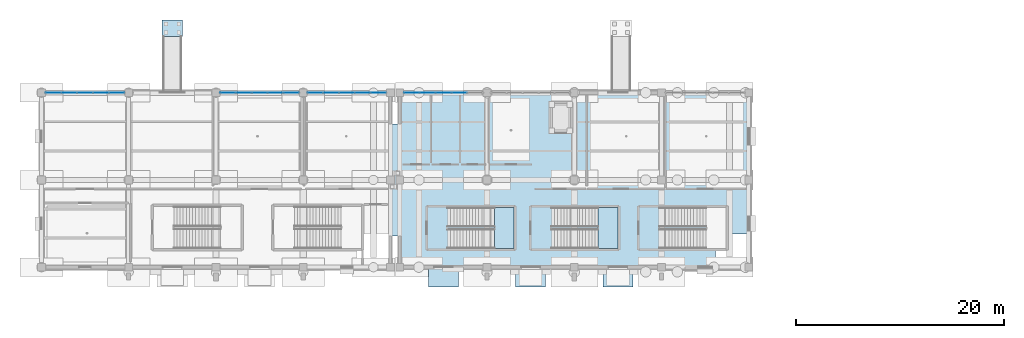
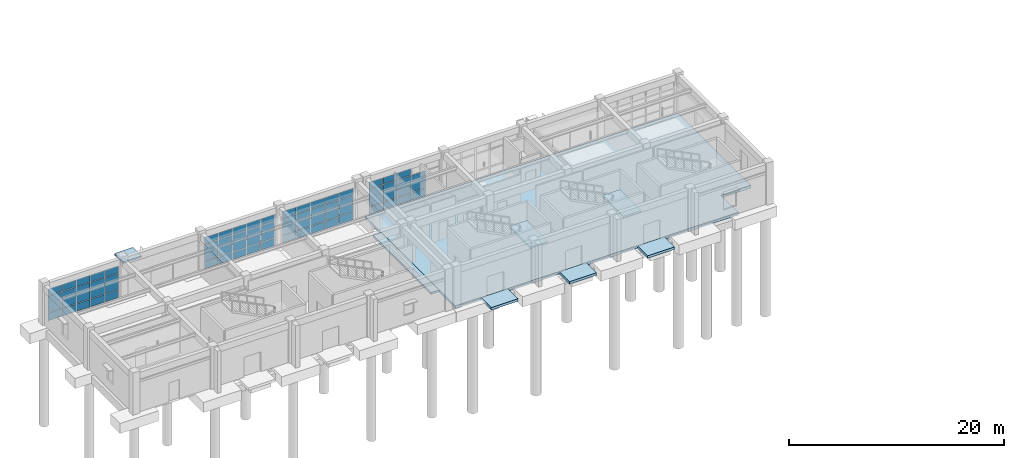
# One storey, part 15 of 29: 56 plates, 8 slabs, 6 elements without a shape of their own.
"""IFC4 building model written with IfcOpenShell, lengths in metres."""

import ifcopenshell
import ifcopenshell.guid

model = None  # the IFC model being written
_history = None  # IfcOwnerHistory: only IFC2X3 demands one
_inside = {}  # id of a spatial element -> (the spatial element, [elements in it])
_under = {}  # id of a project, library or spatial element -> (it, [spatial elements below it])
_declared = {}  # id of a project -> (the project, [libraries it declares])
_typed = {}  # id of a type object -> (the type object, [elements of that type])
_made_of = {}  # id of a material, layer set ... -> (it, [elements and type objects made of it])


def new_model(schema):
    """Start an empty IFC model of exactly this schema.

    Asked for "IFC4X3", IfcOpenShell would pick the latest addendum, in which some entities
    have other attributes; the version numbers below select the first issue.
    IFC2X3 requires an IfcOwnerHistory on every rooted entity: one is made here for all.
    """
    global model, _history
    if schema == "IFC4X3":
        model = ifcopenshell.file(schema_version=(4, 3, 0, 0))
    else:
        model = ifcopenshell.file(schema=schema)
    _inside.clear()
    _under.clear()
    _declared.clear()
    _typed.clear()
    _made_of.clear()
    _history = None
    if model.schema == "IFC2X3":
        org = make("IfcOrganization", Name="unknown")
        user = make(
            "IfcPersonAndOrganization",
            ThePerson=make("IfcPerson", FamilyName="unknown"),
            TheOrganization=org,
        )
        app = make(
            "IfcApplication",
            ApplicationDeveloper=org,
            Version="unknown",
            ApplicationFullName="unknown",
            ApplicationIdentifier="unknown",
        )
        _history = make(
            "IfcOwnerHistory",
            OwningUser=user,
            OwningApplication=app,
            ChangeAction="ADDED",
            CreationDate=0,
        )
    return model


def make(cls, **values):
    """One entity of the class cls with the attributes given. An attribute that is None is left unset."""
    return model.create_entity(
        cls, **{name: value for name, value in values.items() if value is not None}
    )


def rooted(cls, **values):
    """An entity with a GlobalId (a new one), such as an element, a storey or a relation."""
    return make(cls, GlobalId=ifcopenshell.guid.new(), OwnerHistory=_history, **values)


def si_unit(unit_type, name, prefix=None):
    """IfcSIUnit, for example si_unit("LENGTHUNIT", "METRE", prefix="MILLI")."""
    return make("IfcSIUnit", UnitType=unit_type, Prefix=prefix, Name=name)


def assignment(units):
    """IfcUnitAssignment: the units of a project."""
    return None if units is None else make("IfcUnitAssignment", Units=units)


def point(xyz):
    """IfcCartesianPoint."""
    return None if xyz is None else make("IfcCartesianPoint", Coordinates=xyz)


def direction(xyz):
    """IfcDirection."""
    return None if xyz is None else make("IfcDirection", DirectionRatios=xyz)


def frame(location, z_axis=None, x_axis=None):
    """IfcAxis2Placement3D, a coordinate frame: its origin and axes. An axis left out is left unset."""
    return make(
        "IfcAxis2Placement3D",
        Location=point(location),
        Axis=direction(z_axis),
        RefDirection=direction(x_axis),
    )


def frame_2d(location, x_axis=None):
    """IfcAxis2Placement2D, a coordinate frame in the plane: its origin and x axis."""
    return make(
        "IfcAxis2Placement2D", Location=point(location), RefDirection=direction(x_axis)
    )


def origin():
    """The frame at (0, 0, 0) with its axes left unset."""
    return frame((0.0, 0.0, 0.0))


def origin_2d():
    """The frame at (0, 0) in the plane with its x axis left unset."""
    return frame_2d((0.0, 0.0))


def place(relative_to, where):
    """IfcLocalPlacement: puts the frame where relative to a parent placement (None: the world)."""
    return make(
        "IfcLocalPlacement", PlacementRelTo=relative_to, RelativePlacement=where
    )


def context(
    kind, dimensions, precision=None, world=None, true_north=None, identifier=None
):
    """IfcGeometricRepresentationContext, for example the 3D "Model" context."""
    return make(
        "IfcGeometricRepresentationContext",
        ContextIdentifier=identifier,
        ContextType=kind,
        CoordinateSpaceDimension=dimensions,
        Precision=precision,
        WorldCoordinateSystem=world,
        TrueNorth=true_north,
    )


def subcontext(parent, identifier, kind, view, scale=None):
    """IfcGeometricRepresentationSubContext, for example "Body" below "Model"."""
    return make(
        "IfcGeometricRepresentationSubContext",
        ContextIdentifier=identifier,
        ContextType=kind,
        ParentContext=parent,
        TargetScale=scale,
        TargetView=view,
    )


def project(units=None, contexts=None):
    """IfcProject with its units and contexts."""
    return rooted(
        "IfcProject",
        Name="project",
        RepresentationContexts=contexts,
        UnitsInContext=assignment(units),
    )


def spatial(cls, under=None, at=None, **own):
    """A site, building, storey or space (cls), placed at a placement, below another one or the project."""
    s = rooted(cls, ObjectPlacement=at, **own)
    if under is not None:
        _under.setdefault(under.id(), (under, []))[1].append(s)
    return s


def polyline(points):
    """IfcPolyline through the points."""
    return make("IfcPolyline", Points=[point(p) for p in points])


def profile(cls, at=None, kind="AREA", **sizes):
    """A parametric profile (cls). Its sizes go by their IFC names, for example OverallWidth=200.0."""
    return make(cls, ProfileType=kind, Position=at, **sizes)


def rectangle(**sizes):
    """IfcRectangleProfileDef."""
    return profile("IfcRectangleProfileDef", **sizes)


def outline(outer, holes=None, kind="AREA"):
    """IfcArbitraryClosedProfileDef: a profile drawn as a closed curve; with holes, ...WithVoids."""
    if holes is None:
        return make("IfcArbitraryClosedProfileDef", ProfileType=kind, OuterCurve=outer)
    return make(
        "IfcArbitraryProfileDefWithVoids",
        ProfileType=kind,
        OuterCurve=outer,
        InnerCurves=holes,
    )


def extrude(swept, where, along, depth):
    """IfcExtrudedAreaSolid: the profile swept, set in the frame where, extruded along a direction by depth."""
    return make(
        "IfcExtrudedAreaSolid",
        SweptArea=swept,
        Position=where,
        ExtrudedDirection=direction(along),
        Depth=depth,
    )


def shape(context_of_items, identifier, shape_type, items):
    """IfcShapeRepresentation: the items that make up one representation, for example the "Body"."""
    return make(
        "IfcShapeRepresentation",
        ContextOfItems=context_of_items,
        RepresentationIdentifier=identifier,
        RepresentationType=shape_type,
        Items=items,
    )


def material(Name=None, Category=None):
    """IfcMaterial."""
    return make("IfcMaterial", Name=Name, Category=Category)


def layer(
    of_material, thickness, ventilated=None, Name=None, Category=None, Priority=None
):
    """IfcMaterialLayer: one layer of a wall or slab, of a material (None: an air gap)."""
    return make(
        "IfcMaterialLayer",
        Material=of_material,
        LayerThickness=thickness,
        IsVentilated=ventilated,
        Name=Name,
        Category=Category,
        Priority=Priority,
    )


def layer_set(layers, Name=None):
    """IfcMaterialLayerSet."""
    return make("IfcMaterialLayerSet", MaterialLayers=layers, LayerSetName=Name)


def made_of(thing, what):
    """Note that an element or type object is made of a material, layer set ...; save() writes the relation."""
    if what is not None:
        _made_of.setdefault(what.id(), (what, []))[1].append(thing)
    return thing


def type_object(cls, material=None, **own):
    """A type object (cls), such as IfcWallType, which elements share."""
    return made_of(rooted(cls, **own), material)


def element(
    cls,
    number,
    at=None,
    inside=None,
    cuts=None,
    type_object=None,
    material=None,
    context=None,
    identifier="Body",
    shape_type=None,
    held_by="IfcProductDefinitionShape",
    body=None,
    shapes=None,
    **own,
):
    """One element of the class cls, such as IfcWall. Its Tag is "e" and its number.

    at: its placement. inside: the storey or other place that contains it. cuts: it is an
    opening in that element (IfcRelVoidsElement). A single representation is given by context,
    identifier, shape_type and body (its items); several are given by shapes. held_by: the class
    of the entity that holds the representations. save() writes the other relations.
    """
    e = rooted(cls, Tag="e%d" % number, ObjectPlacement=at, **own)
    if body is not None:
        shapes = [shape(context, identifier, shape_type, body)]
    if shapes is not None:
        e.Representation = make(held_by, Representations=shapes)
    if inside is not None:
        _inside.setdefault(inside.id(), (inside, []))[1].append(e)
    if cuts is not None:
        rooted(
            "IfcRelVoidsElement", RelatingBuildingElement=cuts, RelatedOpeningElement=e
        )
    if type_object is not None:
        _typed.setdefault(type_object.id(), (type_object, []))[1].append(e)
    return made_of(e, material)


def aggregate(whole, parts):
    """IfcRelAggregates: a whole, such as a stair, and the parts it consists of."""
    return rooted("IfcRelAggregates", RelatingObject=whole, RelatedObjects=parts)


def save(model, path):
    """Write the relations noted so far, then the file.

    IfcRelAggregates (storeys below a building ...), IfcRelContainedInSpatialStructure (elements
    in a storey), IfcRelDefinesByType, IfcRelAssociatesMaterial and IfcRelDeclares: one each for
    every whole, place, type object, material and project.
    """
    for whole, parts in _under.values():
        aggregate(whole, parts)
    for where, things in _inside.values():
        rooted(
            "IfcRelContainedInSpatialStructure",
            RelatedElements=things,
            RelatingStructure=where,
        )
    for kind, things in _typed.values():
        rooted("IfcRelDefinesByType", RelatedObjects=things, RelatingType=kind)
    for what, things in _made_of.values():
        rooted("IfcRelAssociatesMaterial", RelatedObjects=things, RelatingMaterial=what)
    for by, libraries in _declared.values():
        rooted("IfcRelDeclares", RelatingContext=by, RelatedDefinitions=libraries)
    model.write(path)


model = new_model("IFC4")

# Units and contexts
model_context = context("Model", 3, precision=1e-05, world=origin(), true_north=direction((0.0, 1.0)))
body_context = subcontext(model_context, "Body", "Model", "MODEL_VIEW")
ifc_project = project(units=[si_unit("LENGTHUNIT", "METRE"), si_unit("AREAUNIT", "SQUARE_METRE"), si_unit("VOLUMEUNIT", "CUBIC_METRE"), si_unit("PLANEANGLEUNIT", "RADIAN"), si_unit("MASSUNIT", "GRAM", prefix="KILO")], contexts=[model_context])

# Site, building, storey
site_placement = place(None, origin())
site = spatial("IfcSite", under=ifc_project, at=site_placement, CompositionType="ELEMENT")
building_placement = place(site_placement, origin())
building = spatial("IfcBuilding", under=site, at=building_placement, Name="Canglan Escarpment Cableway Terminal", CompositionType="ELEMENT")
storey_placement = place(building_placement, origin())
storey = spatial("IfcBuildingStorey", under=building, at=storey_placement, Name="L00", CompositionType="ELEMENT", Elevation=0.0)

# Curtain wall, plates
ifc_material_1 = material(Name="Anodized bronze aluminium and Low-E double glazing", Category="aluminium")
curtain_wall_type_1 = type_object("IfcCurtainWallType", Name="CW-BAY-7650x3725", PredefinedType="NOTDEFINED", material=ifc_material_1)
curtain_wall_1_placement = place(storey_placement, origin())
curtain_wall_1 = element("IfcCurtainWall", 1, at=curtain_wall_1_placement, inside=storey, type_object=curtain_wall_type_1, Name="Classical bay-between-piers glazed curtain wall CW-01", PredefinedType="NOTDEFINED")
ifc_material_2 = material(Name="Double-silver Low-E laminated insulating glass", Category="glass")
ifc_layer_1 = layer(ifc_material_2, 0.02392578125, Name="Double-silver Low-E laminated insulating glass")
ifc_layer_set_1 = layer_set([ifc_layer_1], Name="Double-silver Low-E laminated insulating glass")
plate_type_1 = type_object("IfcPlateType", Name="CWP-01", PredefinedType="CURTAIN_PANEL", material=ifc_layer_set_1)
plate_1_placement = place(storey_placement, frame((15.2451171875, 24.800048828125, 0.05517578125), z_axis=(0.0, 0.0, 1.0), x_axis=(-1.0, 0.0, 0.0)))
plate_1 = element("IfcPlate", 2, at=plate_1_placement, type_object=plate_type_1, Name="CW-01 panel 1.1", PredefinedType="CURTAIN_PANEL", context=body_context, shape_type="SweptSolid", body=[
    extrude(rectangle(XDim=1.43994140625, YDim=0.02392578125, at=origin_2d()), origin(), (0.0, 0.0, 1.0), 0.867431640625),
])
plate_2_placement = place(storey_placement, frame((15.2451171875, 24.800048828125, 0.9775390625), z_axis=(0.0, 0.0, 1.0), x_axis=(-1.0, 0.0, 0.0)))
plate_2 = element("IfcPlate", 3, at=plate_2_placement, type_object=plate_type_1, Name="CW-01 panel 1.2", PredefinedType="CURTAIN_PANEL", context=body_context, shape_type="SweptSolid", body=[
    extrude(rectangle(XDim=1.43994140625, YDim=0.02392578125, at=origin_2d()), origin(), (0.0, 0.0, 1.0), 1.860107421875),
])
plate_3_placement = place(storey_placement, frame((15.2451171875, 24.800048828125, 2.892578125), z_axis=(0.0, 0.0, 1.0), x_axis=(-1.0, 0.0, 0.0)))
plate_3 = element("IfcPlate", 4, at=plate_3_placement, type_object=plate_type_1, Name="CW-01 panel 1.3", PredefinedType="CURTAIN_PANEL", context=body_context, shape_type="SweptSolid", body=[
    extrude(rectangle(XDim=1.43994140625, YDim=0.02392578125, at=origin_2d()), origin(), (0.0, 0.0, 1.0), 0.767578125),
])
plate_4_placement = place(storey_placement, frame((13.72998046875, 24.800048828125, 0.05517578125), z_axis=(0.0, 0.0, 1.0), x_axis=(-1.0, 0.0, 0.0)))
plate_4 = element("IfcPlate", 5, at=plate_4_placement, type_object=plate_type_1, Name="CW-01 panel 2.1", PredefinedType="CURTAIN_PANEL", context=body_context, shape_type="SweptSolid", body=[
    extrude(rectangle(XDim=1.469970703125, YDim=0.02392578125, at=origin_2d()), origin(), (0.0, 0.0, 1.0), 0.867431640625),
])
plate_5_placement = place(storey_placement, frame((13.72998046875, 24.800048828125, 0.9775390625), z_axis=(0.0, 0.0, 1.0), x_axis=(-1.0, 0.0, 0.0)))
plate_5 = element("IfcPlate", 6, at=plate_5_placement, type_object=plate_type_1, Name="CW-01 panel 2.2", PredefinedType="CURTAIN_PANEL", context=body_context, shape_type="SweptSolid", body=[
    extrude(rectangle(XDim=1.469970703125, YDim=0.02392578125, at=origin_2d()), origin(), (0.0, 0.0, 1.0), 1.860107421875),
])
plate_6_placement = place(storey_placement, frame((13.72998046875, 24.800048828125, 2.892578125), z_axis=(0.0, 0.0, 1.0), x_axis=(-1.0, 0.0, 0.0)))
plate_6 = element("IfcPlate", 7, at=plate_6_placement, type_object=plate_type_1, Name="CW-01 panel 2.3", PredefinedType="CURTAIN_PANEL", context=body_context, shape_type="SweptSolid", body=[
    extrude(rectangle(XDim=1.469970703125, YDim=0.02392578125, at=origin_2d()), origin(), (0.0, 0.0, 1.0), 0.767578125),
])
plate_7_placement = place(storey_placement, frame((12.199951171875, 24.800048828125, 0.05517578125), z_axis=(0.0, 0.0, 1.0), x_axis=(-1.0, 0.0, 0.0)))
plate_7 = element("IfcPlate", 8, at=plate_7_placement, type_object=plate_type_1, Name="CW-01 panel 3.1", PredefinedType="CURTAIN_PANEL", context=body_context, shape_type="SweptSolid", body=[
    extrude(rectangle(XDim=1.469970703125, YDim=0.02392578125, at=origin_2d()), origin(), (0.0, 0.0, 1.0), 0.867431640625),
])
plate_8_placement = place(storey_placement, frame((12.199951171875, 24.800048828125, 0.9775390625), z_axis=(0.0, 0.0, 1.0), x_axis=(-1.0, 0.0, 0.0)))
plate_8 = element("IfcPlate", 9, at=plate_8_placement, type_object=plate_type_1, Name="CW-01 panel 3.2", PredefinedType="CURTAIN_PANEL", context=body_context, shape_type="SweptSolid", body=[
    extrude(rectangle(XDim=1.469970703125, YDim=0.02392578125, at=origin_2d()), origin(), (0.0, 0.0, 1.0), 1.860107421875),
])
plate_9_placement = place(storey_placement, frame((12.199951171875, 24.800048828125, 2.892578125), z_axis=(0.0, 0.0, 1.0), x_axis=(-1.0, 0.0, 0.0)))
plate_9 = element("IfcPlate", 10, at=plate_9_placement, type_object=plate_type_1, Name="CW-01 panel 3.3", PredefinedType="CURTAIN_PANEL", context=body_context, shape_type="SweptSolid", body=[
    extrude(rectangle(XDim=1.469970703125, YDim=0.02392578125, at=origin_2d()), origin(), (0.0, 0.0, 1.0), 0.767578125),
])
plate_10_placement = place(storey_placement, frame((10.669921875, 24.800048828125, 0.05517578125), z_axis=(0.0, 0.0, 1.0), x_axis=(-1.0, 0.0, 0.0)))
plate_10 = element("IfcPlate", 11, at=plate_10_placement, type_object=plate_type_1, Name="CW-01 panel 4.1", PredefinedType="CURTAIN_PANEL", context=body_context, shape_type="SweptSolid", body=[
    extrude(rectangle(XDim=1.469970703125, YDim=0.02392578125, at=origin_2d()), origin(), (0.0, 0.0, 1.0), 0.867431640625),
])
plate_11_placement = place(storey_placement, frame((10.669921875, 24.800048828125, 0.9775390625), z_axis=(0.0, 0.0, 1.0), x_axis=(-1.0, 0.0, 0.0)))
plate_11 = element("IfcPlate", 12, at=plate_11_placement, type_object=plate_type_1, Name="CW-01 panel 4.2", PredefinedType="CURTAIN_PANEL", context=body_context, shape_type="SweptSolid", body=[
    extrude(rectangle(XDim=1.469970703125, YDim=0.02392578125, at=origin_2d()), origin(), (0.0, 0.0, 1.0), 1.860107421875),
])
plate_12_placement = place(storey_placement, frame((10.669921875, 24.800048828125, 2.892578125), z_axis=(0.0, 0.0, 1.0), x_axis=(-1.0, 0.0, 0.0)))
plate_12 = element("IfcPlate", 13, at=plate_12_placement, type_object=plate_type_1, Name="CW-01 panel 4.3", PredefinedType="CURTAIN_PANEL", context=body_context, shape_type="SweptSolid", body=[
    extrude(rectangle(XDim=1.469970703125, YDim=0.02392578125, at=origin_2d()), origin(), (0.0, 0.0, 1.0), 0.767578125),
])
plate_13_placement = place(storey_placement, frame((9.155029296875, 24.800048828125, 0.05517578125), z_axis=(0.0, 0.0, 1.0), x_axis=(-1.0, 0.0, 0.0)))
plate_13 = element("IfcPlate", 14, at=plate_13_placement, type_object=plate_type_1, Name="CW-01 panel 5.1", PredefinedType="CURTAIN_PANEL", context=body_context, shape_type="SweptSolid", body=[
    extrude(rectangle(XDim=1.43994140625, YDim=0.02392578125, at=origin_2d()), origin(), (0.0, 0.0, 1.0), 0.867431640625),
])
plate_14_placement = place(storey_placement, frame((9.155029296875, 24.800048828125, 0.9775390625), z_axis=(0.0, 0.0, 1.0), x_axis=(-1.0, 0.0, 0.0)))
plate_14 = element("IfcPlate", 15, at=plate_14_placement, type_object=plate_type_1, Name="CW-01 panel 5.2", PredefinedType="CURTAIN_PANEL", context=body_context, shape_type="SweptSolid", body=[
    extrude(rectangle(XDim=1.43994140625, YDim=0.02392578125, at=origin_2d()), origin(), (0.0, 0.0, 1.0), 1.860107421875),
])
plate_15_placement = place(storey_placement, frame((9.155029296875, 24.800048828125, 2.892578125), z_axis=(0.0, 0.0, 1.0), x_axis=(-1.0, 0.0, 0.0)))
plate_15 = element("IfcPlate", 16, at=plate_15_placement, type_object=plate_type_1, Name="CW-01 panel 5.3", PredefinedType="CURTAIN_PANEL", context=body_context, shape_type="SweptSolid", body=[
    extrude(rectangle(XDim=1.43994140625, YDim=0.02392578125, at=origin_2d()), origin(), (0.0, 0.0, 1.0), 0.767578125),
])
aggregate(curtain_wall_1, [plate_1, plate_2, plate_3, plate_4, plate_5, plate_6, plate_7, plate_8, plate_9, plate_10, plate_11, plate_12, plate_13, plate_14, plate_15])

curtain_wall_type_2 = type_object("IfcCurtainWallType", Name="CW-BAY-7650x3775", PredefinedType="NOTDEFINED", material=ifc_material_1)
curtain_wall_2_placement = place(storey_placement, origin())
curtain_wall_2 = element("IfcCurtainWall", 17, at=curtain_wall_2_placement, inside=storey, type_object=curtain_wall_type_2, Name="Classical bay-between-piers glazed curtain wall CW-03", PredefinedType="NOTDEFINED")
ifc_layer_2 = layer(ifc_material_2, 0.028076171875, Name="Double-silver Low-E laminated insulating glass")
ifc_layer_set_2 = layer_set([ifc_layer_2], Name="Double-silver Low-E laminated insulating glass")
plate_type_2 = type_object("IfcPlateType", Name="CWP-02", PredefinedType="CURTAIN_PANEL", material=ifc_layer_set_2)
plate_16_placement = place(storey_placement, frame((48.22998046875, 24.800048828125, 0.06005859375), z_axis=(0.0, 0.0, 1.0), x_axis=(-1.0, 0.0, 0.0)))
plate_16 = element("IfcPlate", 18, at=plate_16_placement, type_object=plate_type_2, Name="CW-03 panel 2.1", PredefinedType="CURTAIN_PANEL", context=body_context, shape_type="SweptSolid", body=[
    extrude(rectangle(XDim=1.465087890625, YDim=0.028076171875, at=origin_2d()), origin(), (0.0, 0.0, 1.0), 0.860107421875),
])
plate_17_placement = place(storey_placement, frame((48.22998046875, 24.800048828125, 0.97998046875), z_axis=(0.0, 0.0, 1.0), x_axis=(-1.0, 0.0, 0.0)))
plate_17 = element("IfcPlate", 19, at=plate_17_placement, type_object=plate_type_2, Name="CW-03 panel 2.2", PredefinedType="CURTAIN_PANEL", context=body_context, shape_type="SweptSolid", body=[
    extrude(rectangle(XDim=1.465087890625, YDim=0.028076171875, at=origin_2d()), origin(), (0.0, 0.0, 1.0), 1.925048828125),
])
plate_18_placement = place(storey_placement, frame((46.699951171875, 24.800048828125, 0.06005859375), z_axis=(0.0, 0.0, 1.0), x_axis=(-1.0, 0.0, 0.0)))
plate_18 = element("IfcPlate", 20, at=plate_18_placement, type_object=plate_type_2, Name="CW-03 panel 3.1", PredefinedType="CURTAIN_PANEL", context=body_context, shape_type="SweptSolid", body=[
    extrude(rectangle(XDim=1.465087890625, YDim=0.028076171875, at=origin_2d()), origin(), (0.0, 0.0, 1.0), 0.860107421875),
])
plate_19_placement = place(storey_placement, frame((46.699951171875, 24.800048828125, 0.97998046875), z_axis=(0.0, 0.0, 1.0), x_axis=(-1.0, 0.0, 0.0)))
plate_19 = element("IfcPlate", 21, at=plate_19_placement, type_object=plate_type_2, Name="CW-03 panel 3.2", PredefinedType="CURTAIN_PANEL", context=body_context, shape_type="SweptSolid", body=[
    extrude(rectangle(XDim=1.465087890625, YDim=0.028076171875, at=origin_2d()), origin(), (0.0, 0.0, 1.0), 1.925048828125),
])
plate_20_placement = place(storey_placement, frame((46.699951171875, 24.800048828125, 2.96484375), z_axis=(0.0, 0.0, 1.0), x_axis=(-1.0, 0.0, 0.0)))
plate_20 = element("IfcPlate", 22, at=plate_20_placement, type_object=plate_type_2, Name="CW-03 panel 3.3", PredefinedType="CURTAIN_PANEL", context=body_context, shape_type="SweptSolid", body=[
    extrude(rectangle(XDim=1.465087890625, YDim=0.028076171875, at=origin_2d()), origin(), (0.0, 0.0, 1.0), 0.760009765625),
])
plate_21_placement = place(storey_placement, frame((45.169921875, 24.800048828125, 0.06005859375), z_axis=(0.0, 0.0, 1.0), x_axis=(-1.0, 0.0, 0.0)))
plate_21 = element("IfcPlate", 23, at=plate_21_placement, type_object=plate_type_2, Name="CW-03 panel 4.1", PredefinedType="CURTAIN_PANEL", context=body_context, shape_type="SweptSolid", body=[
    extrude(rectangle(XDim=1.465087890625, YDim=0.028076171875, at=origin_2d()), origin(), (0.0, 0.0, 1.0), 0.860107421875),
])
plate_22_placement = place(storey_placement, frame((45.169921875, 24.800048828125, 0.97998046875), z_axis=(0.0, 0.0, 1.0), x_axis=(-1.0, 0.0, 0.0)))
plate_22 = element("IfcPlate", 24, at=plate_22_placement, type_object=plate_type_2, Name="CW-03 panel 4.2", PredefinedType="CURTAIN_PANEL", context=body_context, shape_type="SweptSolid", body=[
    extrude(rectangle(XDim=1.465087890625, YDim=0.028076171875, at=origin_2d()), origin(), (0.0, 0.0, 1.0), 1.925048828125),
])
plate_23_placement = place(storey_placement, frame((45.169921875, 24.800048828125, 2.96484375), z_axis=(0.0, 0.0, 1.0), x_axis=(-1.0, 0.0, 0.0)))
plate_23 = element("IfcPlate", 25, at=plate_23_placement, type_object=plate_type_2, Name="CW-03 panel 4.3", PredefinedType="CURTAIN_PANEL", context=body_context, shape_type="SweptSolid", body=[
    extrude(rectangle(XDim=1.465087890625, YDim=0.028076171875, at=origin_2d()), origin(), (0.0, 0.0, 1.0), 0.760009765625),
])
plate_24_placement = place(storey_placement, frame((43.65625, 24.800048828125, 0.06005859375), z_axis=(0.0, 0.0, 1.0), x_axis=(-1.0, 0.0, 0.0)))
plate_24 = element("IfcPlate", 26, at=plate_24_placement, type_object=plate_type_2, Name="CW-03 panel 5.1", PredefinedType="CURTAIN_PANEL", context=body_context, shape_type="SweptSolid", body=[
    extrude(rectangle(XDim=1.4326171875, YDim=0.028076171875, at=origin_2d()), origin(), (0.0, 0.0, 1.0), 0.860107421875),
])
plate_25_placement = place(storey_placement, frame((43.65625, 24.800048828125, 0.97998046875), z_axis=(0.0, 0.0, 1.0), x_axis=(-1.0, 0.0, 0.0)))
plate_25 = element("IfcPlate", 27, at=plate_25_placement, type_object=plate_type_2, Name="CW-03 panel 5.2", PredefinedType="CURTAIN_PANEL", context=body_context, shape_type="SweptSolid", body=[
    extrude(rectangle(XDim=1.4326171875, YDim=0.028076171875, at=origin_2d()), origin(), (0.0, 0.0, 1.0), 1.925048828125),
])
plate_26_placement = place(storey_placement, frame((43.65625, 24.800048828125, 2.96484375), z_axis=(0.0, 0.0, 1.0), x_axis=(-1.0, 0.0, 0.0)))
plate_26 = element("IfcPlate", 28, at=plate_26_placement, type_object=plate_type_2, Name="CW-03 panel 5.3", PredefinedType="CURTAIN_PANEL", context=body_context, shape_type="SweptSolid", body=[
    extrude(rectangle(XDim=1.4326171875, YDim=0.028076171875, at=origin_2d()), origin(), (0.0, 0.0, 1.0), 0.760009765625),
])
aggregate(curtain_wall_2, [plate_16, plate_17, plate_18, plate_19, plate_20, plate_21, plate_22, plate_23, plate_24, plate_25, plate_26])

curtain_wall_3_placement = place(storey_placement, origin())
curtain_wall_3 = element("IfcCurtainWall", 29, at=curtain_wall_3_placement, inside=storey, type_object=curtain_wall_type_1, Name="Classical bay-between-piers glazed curtain wall CW-01", PredefinedType="NOTDEFINED")
ifc_layer_3 = layer(ifc_material_2, 0.031982421875, Name="Double-silver Low-E laminated insulating glass")
ifc_layer_set_3 = layer_set([ifc_layer_3], Name="Double-silver Low-E laminated insulating glass")
plate_type_3 = type_object("IfcPlateType", Name="CWP-03", PredefinedType="CURTAIN_PANEL", material=ifc_layer_set_3)
plate_27_placement = place(storey_placement, frame((32.043701171875, 24.800048828125, 0.06494140625), z_axis=(0.0, 0.0, 1.0), x_axis=(-1.0, 0.0, 0.0)))
plate_27 = element("IfcPlate", 30, at=plate_27_placement, type_object=plate_type_3, Name="CW-01 panel 1.1", PredefinedType="CURTAIN_PANEL", context=body_context, shape_type="SweptSolid", body=[
    extrude(rectangle(XDim=1.4326171875, YDim=0.031982421875, at=origin_2d()), origin(), (0.0, 0.0, 1.0), 0.8525390625),
])
plate_28_placement = place(storey_placement, frame((32.043701171875, 24.800048828125, 0.982421875), z_axis=(0.0, 0.0, 1.0), x_axis=(-1.0, 0.0, 0.0)))
plate_28 = element("IfcPlate", 31, at=plate_28_placement, type_object=plate_type_3, Name="CW-01 panel 1.2", PredefinedType="CURTAIN_PANEL", context=body_context, shape_type="SweptSolid", body=[
    extrude(rectangle(XDim=1.4326171875, YDim=0.031982421875, at=origin_2d()), origin(), (0.0, 0.0, 1.0), 1.85009765625),
])
plate_29_placement = place(storey_placement, frame((32.043701171875, 24.800048828125, 2.8974609375), z_axis=(0.0, 0.0, 1.0), x_axis=(-1.0, 0.0, 0.0)))
plate_29 = element("IfcPlate", 32, at=plate_29_placement, type_object=plate_type_3, Name="CW-01 panel 1.3", PredefinedType="CURTAIN_PANEL", context=body_context, shape_type="SweptSolid", body=[
    extrude(rectangle(XDim=1.4326171875, YDim=0.031982421875, at=origin_2d()), origin(), (0.0, 0.0, 1.0), 0.75244140625),
])
plate_30_placement = place(storey_placement, frame((30.530029296875, 24.800048828125, 0.06494140625), z_axis=(0.0, 0.0, 1.0), x_axis=(-1.0, 0.0, 0.0)))
plate_30 = element("IfcPlate", 33, at=plate_30_placement, type_object=plate_type_3, Name="CW-01 panel 2.1", PredefinedType="CURTAIN_PANEL", context=body_context, shape_type="SweptSolid", body=[
    extrude(rectangle(XDim=1.465087890625, YDim=0.031982421875, at=origin_2d()), origin(), (0.0, 0.0, 1.0), 0.8525390625),
])
plate_31_placement = place(storey_placement, frame((30.530029296875, 24.800048828125, 0.982421875), z_axis=(0.0, 0.0, 1.0), x_axis=(-1.0, 0.0, 0.0)))
plate_31 = element("IfcPlate", 34, at=plate_31_placement, type_object=plate_type_3, Name="CW-01 panel 2.2", PredefinedType="CURTAIN_PANEL", context=body_context, shape_type="SweptSolid", body=[
    extrude(rectangle(XDim=1.465087890625, YDim=0.031982421875, at=origin_2d()), origin(), (0.0, 0.0, 1.0), 1.85009765625),
])
plate_32_placement = place(storey_placement, frame((30.530029296875, 24.800048828125, 2.8974609375), z_axis=(0.0, 0.0, 1.0), x_axis=(-1.0, 0.0, 0.0)))
plate_32 = element("IfcPlate", 35, at=plate_32_placement, type_object=plate_type_3, Name="CW-01 panel 2.3", PredefinedType="CURTAIN_PANEL", context=body_context, shape_type="SweptSolid", body=[
    extrude(rectangle(XDim=1.465087890625, YDim=0.031982421875, at=origin_2d()), origin(), (0.0, 0.0, 1.0), 0.75244140625),
])
plate_33_placement = place(storey_placement, frame((29.0, 24.800048828125, 0.06494140625), z_axis=(0.0, 0.0, 1.0), x_axis=(-1.0, 0.0, 0.0)))
plate_33 = element("IfcPlate", 36, at=plate_33_placement, type_object=plate_type_3, Name="CW-01 panel 3.1", PredefinedType="CURTAIN_PANEL", context=body_context, shape_type="SweptSolid", body=[
    extrude(rectangle(XDim=1.465087890625, YDim=0.031982421875, at=origin_2d()), origin(), (0.0, 0.0, 1.0), 0.8525390625),
])
plate_34_placement = place(storey_placement, frame((29.0, 24.800048828125, 0.982421875), z_axis=(0.0, 0.0, 1.0), x_axis=(-1.0, 0.0, 0.0)))
plate_34 = element("IfcPlate", 37, at=plate_34_placement, type_object=plate_type_3, Name="CW-01 panel 3.2", PredefinedType="CURTAIN_PANEL", context=body_context, shape_type="SweptSolid", body=[
    extrude(rectangle(XDim=1.465087890625, YDim=0.031982421875, at=origin_2d()), origin(), (0.0, 0.0, 1.0), 1.85009765625),
])
plate_35_placement = place(storey_placement, frame((29.0, 24.800048828125, 2.8974609375), z_axis=(0.0, 0.0, 1.0), x_axis=(-1.0, 0.0, 0.0)))
plate_35 = element("IfcPlate", 38, at=plate_35_placement, type_object=plate_type_3, Name="CW-01 panel 3.3", PredefinedType="CURTAIN_PANEL", context=body_context, shape_type="SweptSolid", body=[
    extrude(rectangle(XDim=1.465087890625, YDim=0.031982421875, at=origin_2d()), origin(), (0.0, 0.0, 1.0), 0.75244140625),
])
plate_36_placement = place(storey_placement, frame((27.469970703125, 24.800048828125, 0.06494140625), z_axis=(0.0, 0.0, 1.0), x_axis=(-1.0, 0.0, 0.0)))
plate_36 = element("IfcPlate", 39, at=plate_36_placement, type_object=plate_type_3, Name="CW-01 panel 4.1", PredefinedType="CURTAIN_PANEL", context=body_context, shape_type="SweptSolid", body=[
    extrude(rectangle(XDim=1.465087890625, YDim=0.031982421875, at=origin_2d()), origin(), (0.0, 0.0, 1.0), 0.8525390625),
])
plate_37_placement = place(storey_placement, frame((27.469970703125, 24.800048828125, 0.982421875), z_axis=(0.0, 0.0, 1.0), x_axis=(-1.0, 0.0, 0.0)))
plate_37 = element("IfcPlate", 40, at=plate_37_placement, type_object=plate_type_3, Name="CW-01 panel 4.2", PredefinedType="CURTAIN_PANEL", context=body_context, shape_type="SweptSolid", body=[
    extrude(rectangle(XDim=1.465087890625, YDim=0.031982421875, at=origin_2d()), origin(), (0.0, 0.0, 1.0), 1.85009765625),
])
plate_38_placement = place(storey_placement, frame((27.469970703125, 24.800048828125, 2.8974609375), z_axis=(0.0, 0.0, 1.0), x_axis=(-1.0, 0.0, 0.0)))
plate_38 = element("IfcPlate", 41, at=plate_38_placement, type_object=plate_type_3, Name="CW-01 panel 4.3", PredefinedType="CURTAIN_PANEL", context=body_context, shape_type="SweptSolid", body=[
    extrude(rectangle(XDim=1.465087890625, YDim=0.031982421875, at=origin_2d()), origin(), (0.0, 0.0, 1.0), 0.75244140625),
])
plate_39_placement = place(storey_placement, frame((25.956298828125, 24.800048828125, 0.06494140625), z_axis=(0.0, 0.0, 1.0), x_axis=(-1.0, 0.0, 0.0)))
plate_39 = element("IfcPlate", 42, at=plate_39_placement, type_object=plate_type_3, Name="CW-01 panel 5.1", PredefinedType="CURTAIN_PANEL", context=body_context, shape_type="SweptSolid", body=[
    extrude(rectangle(XDim=1.4326171875, YDim=0.031982421875, at=origin_2d()), origin(), (0.0, 0.0, 1.0), 0.8525390625),
])
plate_40_placement = place(storey_placement, frame((25.956298828125, 24.800048828125, 0.982421875), z_axis=(0.0, 0.0, 1.0), x_axis=(-1.0, 0.0, 0.0)))
plate_40 = element("IfcPlate", 43, at=plate_40_placement, type_object=plate_type_3, Name="CW-01 panel 5.2", PredefinedType="CURTAIN_PANEL", context=body_context, shape_type="SweptSolid", body=[
    extrude(rectangle(XDim=1.4326171875, YDim=0.031982421875, at=origin_2d()), origin(), (0.0, 0.0, 1.0), 1.85009765625),
])
plate_41_placement = place(storey_placement, frame((25.956298828125, 24.800048828125, 2.8974609375), z_axis=(0.0, 0.0, 1.0), x_axis=(-1.0, 0.0, 0.0)))
plate_41 = element("IfcPlate", 44, at=plate_41_placement, type_object=plate_type_3, Name="CW-01 panel 5.3", PredefinedType="CURTAIN_PANEL", context=body_context, shape_type="SweptSolid", body=[
    extrude(rectangle(XDim=1.4326171875, YDim=0.031982421875, at=origin_2d()), origin(), (0.0, 0.0, 1.0), 0.75244140625),
])
aggregate(curtain_wall_3, [plate_27, plate_28, plate_29, plate_30, plate_31, plate_32, plate_33, plate_34, plate_35, plate_36, plate_37, plate_38, plate_39, plate_40, plate_41])

curtain_wall_4_placement = place(storey_placement, origin())
curtain_wall_4 = element("IfcCurtainWall", 45, at=curtain_wall_4_placement, inside=storey, type_object=curtain_wall_type_1, Name="Classical bay-between-piers glazed curtain wall CW-01", PredefinedType="NOTDEFINED")
ifc_layer_4 = layer(ifc_material_2, 0.035888671875, Name="Double-silver Low-E laminated insulating glass")
ifc_layer_set_4 = layer_set([ifc_layer_4], Name="Double-silver Low-E laminated insulating glass")
plate_type_4 = type_object("IfcPlateType", Name="CWP-04", PredefinedType="CURTAIN_PANEL", material=ifc_layer_set_4)
plate_42_placement = place(storey_placement, frame((40.445068359375, 24.800048828125, 0.05517578125), z_axis=(0.0, 0.0, 1.0), x_axis=(-1.0, 0.0, 0.0)))
plate_42 = element("IfcPlate", 46, at=plate_42_placement, type_object=plate_type_4, Name="CW-01 panel 1.1", PredefinedType="CURTAIN_PANEL", context=body_context, shape_type="SweptSolid", body=[
    extrude(rectangle(XDim=1.43994140625, YDim=0.035888671875, at=origin_2d()), origin(), (0.0, 0.0, 1.0), 0.867431640625),
])
plate_43_placement = place(storey_placement, frame((40.445068359375, 24.800048828125, 0.9775390625), z_axis=(0.0, 0.0, 1.0), x_axis=(-1.0, 0.0, 0.0)))
plate_43 = element("IfcPlate", 47, at=plate_43_placement, type_object=plate_type_4, Name="CW-01 panel 1.2", PredefinedType="CURTAIN_PANEL", context=body_context, shape_type="SweptSolid", body=[
    extrude(rectangle(XDim=1.43994140625, YDim=0.035888671875, at=origin_2d()), origin(), (0.0, 0.0, 1.0), 1.860107421875),
])
plate_44_placement = place(storey_placement, frame((40.445068359375, 24.800048828125, 2.892578125), z_axis=(0.0, 0.0, 1.0), x_axis=(-1.0, 0.0, 0.0)))
plate_44 = element("IfcPlate", 48, at=plate_44_placement, type_object=plate_type_4, Name="CW-01 panel 1.3", PredefinedType="CURTAIN_PANEL", context=body_context, shape_type="SweptSolid", body=[
    extrude(rectangle(XDim=1.43994140625, YDim=0.035888671875, at=origin_2d()), origin(), (0.0, 0.0, 1.0), 0.767578125),
])
plate_45_placement = place(storey_placement, frame((38.929931640625, 24.800048828125, 0.05517578125), z_axis=(0.0, 0.0, 1.0), x_axis=(-1.0, 0.0, 0.0)))
plate_45 = element("IfcPlate", 49, at=plate_45_placement, type_object=plate_type_4, Name="CW-01 panel 2.1", PredefinedType="CURTAIN_PANEL", context=body_context, shape_type="SweptSolid", body=[
    extrude(rectangle(XDim=1.469970703125, YDim=0.035888671875, at=origin_2d()), origin(), (0.0, 0.0, 1.0), 0.867431640625),
])
plate_46_placement = place(storey_placement, frame((38.929931640625, 24.800048828125, 0.9775390625), z_axis=(0.0, 0.0, 1.0), x_axis=(-1.0, 0.0, 0.0)))
plate_46 = element("IfcPlate", 50, at=plate_46_placement, type_object=plate_type_4, Name="CW-01 panel 2.2", PredefinedType="CURTAIN_PANEL", context=body_context, shape_type="SweptSolid", body=[
    extrude(rectangle(XDim=1.469970703125, YDim=0.035888671875, at=origin_2d()), origin(), (0.0, 0.0, 1.0), 1.860107421875),
])
plate_47_placement = place(storey_placement, frame((38.929931640625, 24.800048828125, 2.892578125), z_axis=(0.0, 0.0, 1.0), x_axis=(-1.0, 0.0, 0.0)))
plate_47 = element("IfcPlate", 51, at=plate_47_placement, type_object=plate_type_4, Name="CW-01 panel 2.3", PredefinedType="CURTAIN_PANEL", context=body_context, shape_type="SweptSolid", body=[
    extrude(rectangle(XDim=1.469970703125, YDim=0.035888671875, at=origin_2d()), origin(), (0.0, 0.0, 1.0), 0.767578125),
])
plate_48_placement = place(storey_placement, frame((37.39990234375, 24.800048828125, 0.05517578125), z_axis=(0.0, 0.0, 1.0), x_axis=(-1.0, 0.0, 0.0)))
plate_48 = element("IfcPlate", 52, at=plate_48_placement, type_object=plate_type_4, Name="CW-01 panel 3.1", PredefinedType="CURTAIN_PANEL", context=body_context, shape_type="SweptSolid", body=[
    extrude(rectangle(XDim=1.469970703125, YDim=0.035888671875, at=origin_2d()), origin(), (0.0, 0.0, 1.0), 0.867431640625),
])
plate_49_placement = place(storey_placement, frame((37.39990234375, 24.800048828125, 0.9775390625), z_axis=(0.0, 0.0, 1.0), x_axis=(-1.0, 0.0, 0.0)))
plate_49 = element("IfcPlate", 53, at=plate_49_placement, type_object=plate_type_4, Name="CW-01 panel 3.2", PredefinedType="CURTAIN_PANEL", context=body_context, shape_type="SweptSolid", body=[
    extrude(rectangle(XDim=1.469970703125, YDim=0.035888671875, at=origin_2d()), origin(), (0.0, 0.0, 1.0), 1.860107421875),
])
plate_50_placement = place(storey_placement, frame((37.39990234375, 24.800048828125, 2.892578125), z_axis=(0.0, 0.0, 1.0), x_axis=(-1.0, 0.0, 0.0)))
plate_50 = element("IfcPlate", 54, at=plate_50_placement, type_object=plate_type_4, Name="CW-01 panel 3.3", PredefinedType="CURTAIN_PANEL", context=body_context, shape_type="SweptSolid", body=[
    extrude(rectangle(XDim=1.469970703125, YDim=0.035888671875, at=origin_2d()), origin(), (0.0, 0.0, 1.0), 0.767578125),
])
plate_51_placement = place(storey_placement, frame((35.8701171875, 24.800048828125, 0.05517578125), z_axis=(0.0, 0.0, 1.0), x_axis=(-1.0, 0.0, 0.0)))
plate_51 = element("IfcPlate", 55, at=plate_51_placement, type_object=plate_type_4, Name="CW-01 panel 4.1", PredefinedType="CURTAIN_PANEL", context=body_context, shape_type="SweptSolid", body=[
    extrude(rectangle(XDim=1.469970703125, YDim=0.035888671875, at=origin_2d()), origin(), (0.0, 0.0, 1.0), 0.867431640625),
])
plate_52_placement = place(storey_placement, frame((35.8701171875, 24.800048828125, 0.9775390625), z_axis=(0.0, 0.0, 1.0), x_axis=(-1.0, 0.0, 0.0)))
plate_52 = element("IfcPlate", 56, at=plate_52_placement, type_object=plate_type_4, Name="CW-01 panel 4.2", PredefinedType="CURTAIN_PANEL", context=body_context, shape_type="SweptSolid", body=[
    extrude(rectangle(XDim=1.469970703125, YDim=0.035888671875, at=origin_2d()), origin(), (0.0, 0.0, 1.0), 1.860107421875),
])
plate_53_placement = place(storey_placement, frame((35.8701171875, 24.800048828125, 2.892578125), z_axis=(0.0, 0.0, 1.0), x_axis=(-1.0, 0.0, 0.0)))
plate_53 = element("IfcPlate", 57, at=plate_53_placement, type_object=plate_type_4, Name="CW-01 panel 4.3", PredefinedType="CURTAIN_PANEL", context=body_context, shape_type="SweptSolid", body=[
    extrude(rectangle(XDim=1.469970703125, YDim=0.035888671875, at=origin_2d()), origin(), (0.0, 0.0, 1.0), 0.767578125),
])
plate_54_placement = place(storey_placement, frame((34.35498046875, 24.800048828125, 0.05517578125), z_axis=(0.0, 0.0, 1.0), x_axis=(-1.0, 0.0, 0.0)))
plate_54 = element("IfcPlate", 58, at=plate_54_placement, type_object=plate_type_4, Name="CW-01 panel 5.1", PredefinedType="CURTAIN_PANEL", context=body_context, shape_type="SweptSolid", body=[
    extrude(rectangle(XDim=1.43994140625, YDim=0.035888671875, at=origin_2d()), origin(), (0.0, 0.0, 1.0), 0.867431640625),
])
plate_55_placement = place(storey_placement, frame((34.35498046875, 24.800048828125, 0.9775390625), z_axis=(0.0, 0.0, 1.0), x_axis=(-1.0, 0.0, 0.0)))
plate_55 = element("IfcPlate", 59, at=plate_55_placement, type_object=plate_type_4, Name="CW-01 panel 5.2", PredefinedType="CURTAIN_PANEL", context=body_context, shape_type="SweptSolid", body=[
    extrude(rectangle(XDim=1.43994140625, YDim=0.035888671875, at=origin_2d()), origin(), (0.0, 0.0, 1.0), 1.860107421875),
])
plate_56_placement = place(storey_placement, frame((34.35498046875, 24.800048828125, 2.892578125), z_axis=(0.0, 0.0, 1.0), x_axis=(-1.0, 0.0, 0.0)))
plate_56 = element("IfcPlate", 60, at=plate_56_placement, type_object=plate_type_4, Name="CW-01 panel 5.3", PredefinedType="CURTAIN_PANEL", context=body_context, shape_type="SweptSolid", body=[
    extrude(rectangle(XDim=1.43994140625, YDim=0.035888671875, at=origin_2d()), origin(), (0.0, 0.0, 1.0), 0.767578125),
])
aggregate(curtain_wall_4, [plate_42, plate_43, plate_44, plate_45, plate_46, plate_47, plate_48, plate_49, plate_50, plate_51, plate_52, plate_53, plate_54, plate_55, plate_56])

# Slabs
ifc_material_3 = material(Name="Concrete C40", Category="concrete")
ifc_layer_5 = layer(ifc_material_3, 0.280029296875, Name="Concrete C40")
ifc_layer_set_5 = layer_set([ifc_layer_5], Name="Concrete C40")
slab_type_1 = type_object("IfcSlabType", Name="SLB-BASE-280", PredefinedType="BASESLAB", material=ifc_layer_set_5)
slab_1_placement = place(storey_placement, frame((0.0, 0.0, -0.280029296875)))
element("IfcSlab", 61, at=slab_1_placement, inside=storey, type_object=slab_type_1, Name="Stair discharge exterior exit threshold apron SB-03", PredefinedType="BASESLAB", context=body_context, shape_type="SweptSolid", body=[
    extrude(outline(polyline([(45.25, 6.10009765625), (48.14990234375, 6.10009765625), (48.14990234375, 8.0), (45.25, 8.0), (45.25, 6.10009765625)])), origin(), (0.0, 0.0, 1.0), 0.280029296875),
])
slab_2_placement = place(storey_placement, frame((0.0, 0.0, -0.280029296875)))
element("IfcSlab", 62, at=slab_2_placement, inside=storey, type_object=slab_type_1, Name="Stair discharge exterior exit threshold apron SB-03", PredefinedType="BASESLAB", context=body_context, shape_type="SweptSolid", body=[
    extrude(outline(polyline([(53.64990234375, 6.10009765625), (56.550048828125, 6.10009765625), (56.550048828125, 8.0), (53.64990234375, 8.0), (53.64990234375, 6.10009765625)])), origin(), (0.0, 0.0, 1.0), 0.280029296875),
])
slab_3_placement = place(storey_placement, frame((0.0, 0.0, -0.280029296875)))
element("IfcSlab", 63, at=slab_3_placement, inside=storey, type_object=slab_type_1, Name="Stair discharge exterior exit threshold apron SB-03", PredefinedType="BASESLAB", context=body_context, shape_type="SweptSolid", body=[
    extrude(outline(polyline([(62.050048828125, 6.10009765625), (64.949951171875, 6.10009765625), (64.949951171875, 8.0), (62.050048828125, 8.0), (62.050048828125, 6.10009765625)])), origin(), (0.0, 0.0, 1.0), 0.280029296875),
])
ifc_layer_6 = layer(ifc_material_3, 0.320068359375, Name="Concrete C40")
ifc_layer_set_6 = layer_set([ifc_layer_6], Name="Concrete C40")
slab_type_2 = type_object("IfcSlabType", Name="SLB-BASE-320", PredefinedType="BASESLAB", material=ifc_layer_set_6)
slab_4_placement = place(storey_placement, frame((0.0, 0.0, -0.320068359375)))
element("IfcSlab", 64, at=slab_4_placement, inside=storey, type_object=slab_type_2, Name="Reinforced concrete base slab SB-01", PredefinedType="BASESLAB", context=body_context, shape_type="SweptSolid", body=[
    extrude(outline(polyline([(42.5, 8.0), (72.89990234375, 8.0), (72.89990234375, 11.199951171875), (76.10009765625, 11.199951171875), (76.10009765625, 24.800048828125), (42.5, 24.800048828125), (42.5, 8.0)])), origin(), (0.0, 0.0, 1.0), 0.320068359375),
])
ifc_layer_7 = layer(ifc_material_3, 0.219970703125, Name="Concrete C40")
ifc_layer_set_7 = layer_set([ifc_layer_7], Name="Concrete C40")
slab_type_3 = type_object("IfcSlabType", Name="SLB-LINK-220", PredefinedType="FLOOR", material=ifc_layer_set_7)
slab_5_placement = place(storey_placement, frame((0.0, 0.0, -0.219970703125)))
element("IfcSlab", 65, at=slab_5_placement, inside=storey, type_object=slab_type_3, Name="Movement-joint concourse link slab MJ-S1", PredefinedType="FLOOR", context=body_context, shape_type="SweptSolid", body=[
    extrude(outline(polyline([(42.4951171875, 21.800048828125), (42.4951171875, 11.0), (41.60498046875, 11.0), (41.60498046875, 21.800048828125), (42.4951171875, 21.800048828125)])), origin(), (0.0, 0.0, 1.0), 0.219970703125),
])
ifc_layer_8 = layer(ifc_material_3, 0.199951171875, Name="Concrete C40")
ifc_layer_set_8 = layer_set([ifc_layer_8], Name="Concrete C40")
slab_type_4 = type_object("IfcSlabType", Name="SLB-RMP-LAND-200", PredefinedType="LANDING", material=ifc_layer_set_8)
slab_6_placement = place(storey_placement, frame((0.0, 0.0, -0.64990234375)))
element("IfcSlab", 66, at=slab_6_placement, inside=storey, type_object=slab_type_4, Name="Accessible Forecourt Entrance Ramp 1 bottom landing", PredefinedType="LANDING", context=body_context, shape_type="SweptSolid", body=[
    extrude(outline(polyline([(19.60009765625, 30.199951171875), (21.60009765625, 30.199951171875), (21.60009765625, 31.800048828125), (19.60009765625, 31.800048828125), (19.60009765625, 30.199951171875)])), origin(), (0.0, 0.0, 1.0), 0.199951171875),
])

# Stair, slab
stair_type = type_object("IfcStairType", Name="STR-DOGLEG-1900", PredefinedType="HALF_TURN_STAIR", material=ifc_material_3)
stair_1_placement = place(storey_placement, origin())
stair_1 = element("IfcStair", 67, at=stair_1_placement, inside=storey, type_object=stair_type, Name="L00 Protected Exit Stair ST-03", PredefinedType="HALF_TURN_STAIR")
ifc_layer_9 = layer(ifc_material_3, 0.199951171875, Name="Concrete C40")
ifc_layer_set_9 = layer_set([ifc_layer_9], Name="Concrete C40")
slab_type_5 = type_object("IfcSlabType", Name="SLB-STAIR-LAND-200", PredefinedType="LANDING", material=ifc_layer_set_9)
slab_7_placement = place(storey_placement, frame((0.0, 0.0, 2.199951171875)))
slab_7 = element("IfcSlab", 68, at=slab_7_placement, type_object=slab_type_5, Name="ST-03 landing 1", PredefinedType="LANDING", context=body_context, shape_type="SweptSolid", body=[
    extrude(outline(polyline([(51.60009765625, 9.800048828125), (53.5, 9.800048828125), (53.5, 13.75), (51.60009765625, 13.75), (51.60009765625, 9.800048828125)])), origin(), (0.0, 0.0, 1.0), 0.199951171875),
])
aggregate(stair_1, [slab_7])

stair_2_placement = place(storey_placement, origin())
stair_2 = element("IfcStair", 69, at=stair_2_placement, inside=storey, type_object=stair_type, Name="L00 Protected Exit Stair ST-04", PredefinedType="HALF_TURN_STAIR")
slab_8_placement = place(storey_placement, frame((0.0, 0.0, 2.199951171875)))
slab_8 = element("IfcSlab", 70, at=slab_8_placement, type_object=slab_type_5, Name="ST-04 landing 1", PredefinedType="LANDING", context=body_context, shape_type="SweptSolid", body=[
    extrude(outline(polyline([(61.60009765625, 9.800048828125), (63.5, 9.800048828125), (63.5, 13.75), (61.60009765625, 13.75), (61.60009765625, 9.800048828125)])), origin(), (0.0, 0.0, 1.0), 0.199951171875),
])
aggregate(stair_2, [slab_8])

save(model, "model.ifc")
